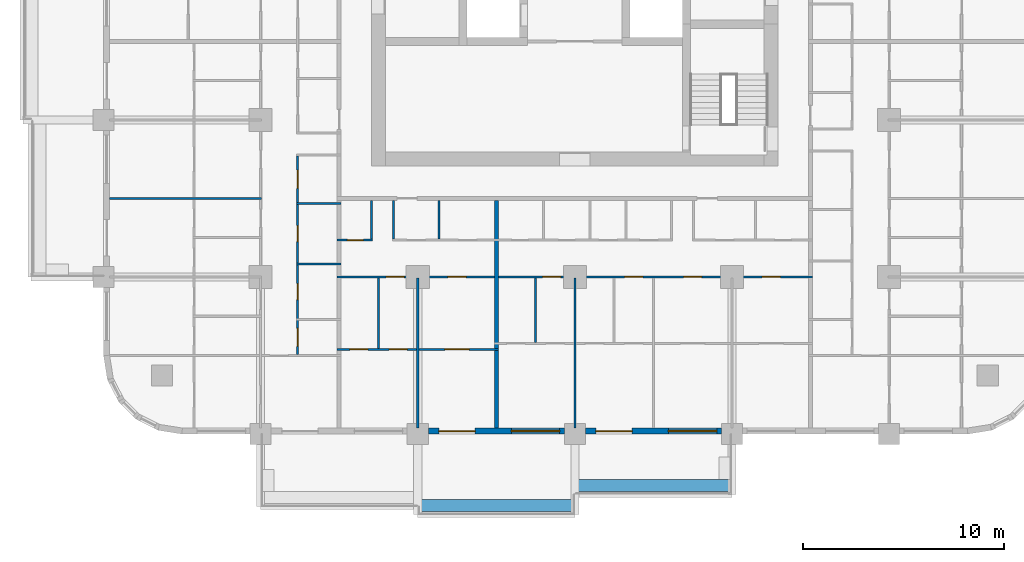
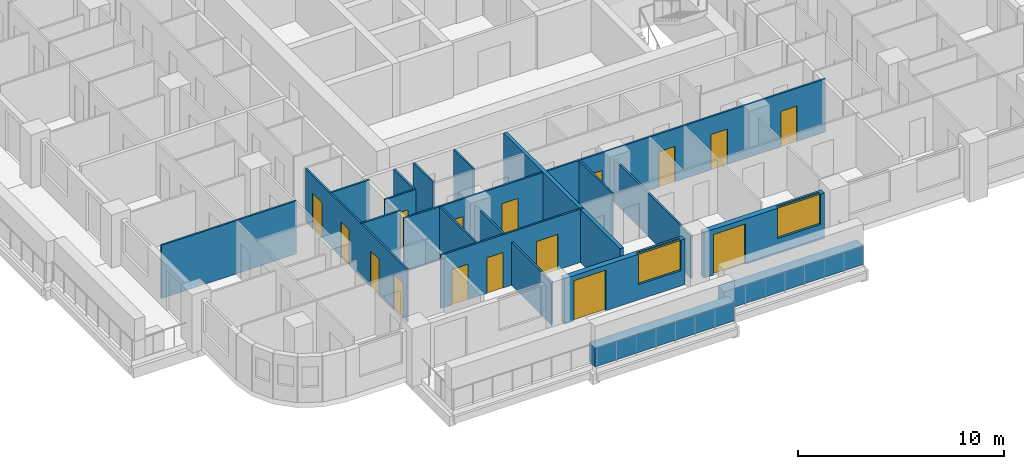
# One storey, part 3 of 17: 19 walls, 16 doors, 2 windows, 18 openings.
"""IFC4 building model written with IfcOpenShell, lengths in metres."""

from ifc_helpers import new_model, si_unit, direction, frame, frame_2d, origin, place, context, subcontext, project, spatial, rectangle, extrude, material, layer, layer_set, type_object, element, fill, save


model = new_model("IFC4")

# Units and contexts
model_context = context("Model", 3, precision=1e-05, world=origin(), true_north=direction((0.0, 1.0)))
body_context = subcontext(model_context, "Body", "Model", "MODEL_VIEW")
ifc_project = project(units=[si_unit("LENGTHUNIT", "METRE"), si_unit("AREAUNIT", "SQUARE_METRE"), si_unit("VOLUMEUNIT", "CUBIC_METRE"), si_unit("PLANEANGLEUNIT", "RADIAN"), si_unit("MASSUNIT", "GRAM", prefix="KILO")], contexts=[model_context])

# Site, building, storey
site_placement = place(None, origin())
site = spatial("IfcSite", under=ifc_project, at=site_placement, CompositionType="ELEMENT")
building_placement = place(site_placement, origin())
building = spatial("IfcBuilding", under=site, at=building_placement, Name="Ludao Terraces", CompositionType="ELEMENT")
storey_placement = place(building_placement, frame((0.0, 0.0, 51.199951171875)))
storey = spatial("IfcBuildingStorey", under=building, at=storey_placement, Name="L13", CompositionType="ELEMENT", Elevation=51.199951171875)

# Walls
ifc_material_1 = material(Name="Concrete C40", Category="concrete")
ifc_layer_1 = layer(ifc_material_1, 0.60009765625)
ifc_layer_set_1 = layer_set([ifc_layer_1], Name="ENV Planter trough 600")
wall_type_1 = type_object("IfcWallType", Name="ENV Planter trough 600", PredefinedType="USERDEFINED", material=ifc_layer_set_1)
for number, where, z_axis, x_axis, name in (
    (1, (77.199951171875, 38.050048828125, 0.0), (0.0, 0.0, 1.0), (1.0, 0.0, 0.0), "PL-L13-S2"),
    (2, (85.0, 39.050048828125, 0.0), (0.0, 0.0, 1.0), (1.0, 0.0, 0.0), "PL-L13-S3"),
):
    element("IfcWall", number, at=place(storey_placement, frame(where, z_axis=z_axis, x_axis=x_axis)), inside=storey, type_object=wall_type_1, Name=name, ObjectType="PLANTER", PredefinedType="USERDEFINED", context=body_context, shape_type="SweptSolid", body=[
        extrude(rectangle(XDim=7.800048828125, YDim=0.60009765625, at=frame_2d((3.89990234375, 0.0))), origin(), (0.0, 0.0, 1.0), 1.10009765625),
    ])

# Wall, openings, door, window
ifc_material_2 = material(Name="Granite cladding", Category="masonry")
ifc_layer_2 = layer(ifc_material_2, 0.0400390625, Category="stone")
ifc_material_3 = material(Name="Mineral wool")
ifc_layer_3 = layer(ifc_material_3, 0.06005859375)
ifc_layer_4 = layer(ifc_material_1, 0.199951171875, Category="concrete")
ifc_layer_set_2 = layer_set([ifc_layer_2, ifc_layer_3, ifc_layer_4], Name="ENV Stone-clad wall 300")
wall_type_2 = type_object("IfcWallType", Name="ENV Stone-clad wall 300", PredefinedType="SOLIDWALL", material=ifc_layer_set_2)
wall_1_placement = place(storey_placement, frame((77.72509765625, 41.75, 0.0), z_axis=(0.0, 0.0, 1.0), x_axis=(1.0, 0.0, 0.0)))
wall_1 = element("IfcWall", 3, at=wall_1_placement, inside=storey, type_object=wall_type_2, Name="EW-L13-S3", PredefinedType="SOLIDWALL", context=body_context, shape_type="SweptSolid", body=[
    extrude(rectangle(XDim=6.75, YDim=0.300048828125, at=frame_2d((3.375, 0.0))), origin(), (0.0, 0.0, 1.0), 2.699951171875),
])
opening_1_placement = place(wall_1_placement, frame((0.52490234375, 0.0, 0.0)))
opening_1 = element("IfcOpeningElement", 4, at=opening_1_placement, cuts=wall_1, Name="Opening BD", PredefinedType="OPENING", context=body_context, shape_type="SweptSolid", body=[
    extrude(rectangle(XDim=1.800048828125, YDim=2.39990234375, at=frame_2d((0.89990234375, 1.199951171875))), frame((0.0, 0.16015625, 0.0), z_axis=(0.0, -1.0, 0.0), x_axis=(1.0, 0.0, 0.0)), (0.0, 0.0, 1.0), 0.320068359375),
])
opening_2_placement = place(wall_1_placement, frame((4.125, 0.0, 0.89990234375)))
opening_2 = element("IfcOpeningElement", 5, at=opening_2_placement, cuts=wall_1, Name="Opening W1", PredefinedType="OPENING", context=body_context, shape_type="SweptSolid", body=[
    extrude(rectangle(XDim=2.39990234375, YDim=1.800048828125, at=frame_2d((1.199951171875, 0.89990234375))), frame((0.0, 0.16015625, 0.0), z_axis=(0.0, -1.0, 0.0), x_axis=(1.0, 0.0, 0.0)), (0.0, 0.0, 1.0), 0.320068359375),
])
ifc_material_4 = material(Name="Aluminium glazed door", Category="aluminium")
ifc_layer_5 = layer(ifc_material_4, 0.06005859375)
ifc_layer_set_3 = layer_set([ifc_layer_5], Name="ENV Balcony door BD 1800x2400")
door_type_1 = type_object("IfcDoorType", Name="ENV Balcony door BD 1800x2400", OperationType="DOUBLE_DOOR_SINGLE_SWING", PredefinedType="DOOR", material=ifc_layer_set_3)
door_1_placement = place(opening_1_placement, origin())
door_1 = element("IfcDoor", 6, at=door_1_placement, inside=storey, type_object=door_type_1, Name="BD-L13-S3-1", OperationType="DOUBLE_DOOR_SINGLE_SWING", OverallHeight=2.39990234375, OverallWidth=1.800048828125, PredefinedType="DOOR", context=body_context, shape_type="SweptSolid", body=[
    extrude(rectangle(XDim=1.800048828125, YDim=2.39990234375, at=frame_2d((0.89990234375, 1.199951171875))), frame((0.0, 0.02490234375, 0.0), z_axis=(0.0, -1.0, 0.0), x_axis=(1.0, 0.0, 0.0)), (0.0, 0.0, 1.0), 0.050048828125),
])
fill(opening_1, door_1)
ifc_material_5 = material(Name="Clear glass in aluminium frame", Category="aluminium")
ifc_layer_6 = layer(ifc_material_5, 0.06005859375)
ifc_layer_set_4 = layer_set([ifc_layer_6], Name="ENV Window W1 2400x1800")
window_type = type_object("IfcWindowType", Name="ENV Window W1 2400x1800", PartitioningType="DOUBLE_PANEL_VERTICAL", PredefinedType="WINDOW", material=ifc_layer_set_4)
window_1_placement = place(opening_2_placement, origin())
window_1 = element("IfcWindow", 7, at=window_1_placement, inside=storey, type_object=window_type, Name="W-L13-S3-2", OverallHeight=1.800048828125, OverallWidth=2.39990234375, PartitioningType="DOUBLE_PANEL_VERTICAL", PredefinedType="WINDOW", context=body_context, shape_type="SweptSolid", body=[
    extrude(rectangle(XDim=2.39990234375, YDim=1.800048828125, at=frame_2d((1.199951171875, 0.89990234375))), frame((0.0, 0.030029296875, 0.0), z_axis=(0.0, -1.0, 0.0), x_axis=(1.0, 0.0, 0.0)), (0.0, 0.0, 1.0), 0.06005859375),
])
fill(opening_2, window_1)

wall_2_placement = place(storey_placement, frame((85.52490234375, 41.75, 0.0), z_axis=(0.0, 0.0, 1.0), x_axis=(1.0, 0.0, 0.0)))
wall_2 = element("IfcWall", 8, at=wall_2_placement, inside=storey, type_object=wall_type_2, Name="EW-L13-S4", PredefinedType="SOLIDWALL", context=body_context, shape_type="SweptSolid", body=[
    extrude(rectangle(XDim=6.75, YDim=0.300048828125, at=frame_2d((3.375, 0.0))), origin(), (0.0, 0.0, 1.0), 2.699951171875),
])
opening_3_placement = place(wall_2_placement, frame((0.52490234375, 0.0, 0.0)))
opening_3 = element("IfcOpeningElement", 9, at=opening_3_placement, cuts=wall_2, Name="Opening BD", PredefinedType="OPENING", context=body_context, shape_type="SweptSolid", body=[
    extrude(rectangle(XDim=1.800048828125, YDim=2.39990234375, at=frame_2d((0.89990234375, 1.199951171875))), frame((0.0, 0.16015625, 0.0), z_axis=(0.0, -1.0, 0.0), x_axis=(1.0, 0.0, 0.0)), (0.0, 0.0, 1.0), 0.320068359375),
])
opening_4_placement = place(wall_2_placement, frame((4.125, 0.0, 0.89990234375)))
opening_4 = element("IfcOpeningElement", 10, at=opening_4_placement, cuts=wall_2, Name="Opening W1", PredefinedType="OPENING", context=body_context, shape_type="SweptSolid", body=[
    extrude(rectangle(XDim=2.39990234375, YDim=1.800048828125, at=frame_2d((1.199951171875, 0.89990234375))), frame((0.0, 0.16015625, 0.0), z_axis=(0.0, -1.0, 0.0), x_axis=(1.0, 0.0, 0.0)), (0.0, 0.0, 1.0), 0.320068359375),
])
door_2_placement = place(opening_3_placement, origin())
door_2 = element("IfcDoor", 11, at=door_2_placement, inside=storey, type_object=door_type_1, Name="BD-L13-S4-1", OperationType="DOUBLE_DOOR_SINGLE_SWING", OverallHeight=2.39990234375, OverallWidth=1.800048828125, PredefinedType="DOOR", context=body_context, shape_type="SweptSolid", body=[
    extrude(rectangle(XDim=1.800048828125, YDim=2.39990234375, at=frame_2d((0.89990234375, 1.199951171875))), frame((0.0, 0.02490234375, 0.0), z_axis=(0.0, -1.0, 0.0), x_axis=(1.0, 0.0, 0.0)), (0.0, 0.0, 1.0), 0.050048828125),
])
fill(opening_3, door_2)
window_2_placement = place(opening_4_placement, origin())
window_2 = element("IfcWindow", 12, at=window_2_placement, inside=storey, type_object=window_type, Name="W-L13-S4-2", OverallHeight=1.800048828125, OverallWidth=2.39990234375, PartitioningType="DOUBLE_PANEL_VERTICAL", PredefinedType="WINDOW", context=body_context, shape_type="SweptSolid", body=[
    extrude(rectangle(XDim=2.39990234375, YDim=1.800048828125, at=frame_2d((1.199951171875, 0.89990234375))), frame((0.0, 0.030029296875, 0.0), z_axis=(0.0, -1.0, 0.0), x_axis=(1.0, 0.0, 0.0)), (0.0, 0.0, 1.0), 0.06005859375),
])
fill(opening_4, window_2)

# Wall, openings, doors
ifc_material_6 = material(Name="Gypsum plasterboard", Category="gypsum")
ifc_layer_7 = layer(ifc_material_6, 0.012451171875, Category="gypsum")
ifc_layer_8 = layer(ifc_material_3, 0.06005859375, Name="insulation")
ifc_material_7 = material(Name="Steel Q235", Category="steel")
ifc_layer_9 = layer(ifc_material_7, 0.014892578125, Name="stud")
ifc_layer_10 = layer(ifc_material_6, 0.012451171875, Category="gypsum")
ifc_layer_set_5 = layer_set([ifc_layer_7, ifc_layer_8, ifc_layer_9, ifc_layer_10], Name="INT Partition 100")
wall_type_3 = type_object("IfcWallType", Name="INT Partition 100", PredefinedType="PARTITIONING", material=ifc_layer_set_5)
wall_3_placement = place(storey_placement, frame((73.2001953125, 45.800048828125, 0.0), z_axis=(0.0, 0.0, 1.0), x_axis=(1.0, 0.0, 0.0)))
wall_3 = element("IfcWall", 13, at=wall_3_placement, inside=storey, type_object=wall_type_3, Name="PW-L13-PW002", PredefinedType="PARTITIONING", context=body_context, shape_type="SweptSolid", body=[
    extrude(rectangle(XDim=8.0, YDim=0.10009765625, at=frame_2d((4.0, 0.0))), origin(), (0.0, 0.0, 1.0), 3.150146484375),
])
opening_5_placement = place(wall_3_placement, frame((0.625, 0.0, 0.0)))
opening_5 = element("IfcOpeningElement", 14, at=opening_5_placement, cuts=wall_3, Name="Opening R04-007", PredefinedType="OPENING", context=body_context, shape_type="SweptSolid", body=[
    extrude(rectangle(XDim=0.89990234375, YDim=2.10009765625, at=frame_2d((0.449951171875, 1.050048828125))), frame((0.0, 0.06005859375, 0.0), z_axis=(0.0, -1.0, 0.0), x_axis=(1.0, 0.0, 0.0)), (0.0, 0.0, 1.0), 0.1201171875),
])
opening_6_placement = place(wall_3_placement, frame((2.574951171875, 0.0, 0.0)))
opening_6 = element("IfcOpeningElement", 15, at=opening_6_placement, cuts=wall_3, Name="Opening R04-008", PredefinedType="OPENING", context=body_context, shape_type="SweptSolid", body=[
    extrude(rectangle(XDim=0.89990234375, YDim=2.10009765625, at=frame_2d((0.449951171875, 1.050048828125))), frame((0.0, 0.06005859375, 0.0), z_axis=(0.0, -1.0, 0.0), x_axis=(1.0, 0.0, 0.0)), (0.0, 0.0, 1.0), 0.1201171875),
])
opening_7_placement = place(wall_3_placement, frame((5.349853515625, 0.0, 0.0)))
opening_7 = element("IfcOpeningElement", 16, at=opening_7_placement, cuts=wall_3, Name="Opening R04-009", PredefinedType="OPENING", context=body_context, shape_type="SweptSolid", body=[
    extrude(rectangle(XDim=1.199951171875, YDim=2.10009765625, at=frame_2d((0.60009765625, 1.050048828125))), frame((0.0, 0.06005859375, 0.0), z_axis=(0.0, -1.0, 0.0), x_axis=(1.0, 0.0, 0.0)), (0.0, 0.0, 1.0), 0.1201171875),
])
ifc_material_8 = material(Name="Timber door leaf", Category="wood")
door_type_2 = type_object("IfcDoorType", Name="INT Bathroom door 900", OperationType="SINGLE_SWING_LEFT", PredefinedType="DOOR", material=ifc_material_8)
door_3_placement = place(opening_5_placement, origin())
door_3 = element("IfcDoor", 17, at=door_3_placement, inside=storey, type_object=door_type_2, Name="DOOR 007", OperationType="SINGLE_SWING_LEFT", OverallHeight=2.10009765625, OverallWidth=0.89990234375, PredefinedType="DOOR", context=body_context, shape_type="SweptSolid", body=[
    extrude(rectangle(XDim=0.89990234375, YDim=2.10009765625, at=frame_2d((0.449951171875, 1.050048828125))), frame((0.0, 0.02490234375, 0.0), z_axis=(0.0, -1.0, 0.0), x_axis=(1.0, 0.0, 0.0)), (0.0, 0.0, 1.0), 0.050048828125),
])
fill(opening_5, door_3)
door_type_3 = type_object("IfcDoorType", Name="INT Double door 1200", OperationType="DOUBLE_DOOR_SINGLE_SWING", PredefinedType="DOOR", material=ifc_material_8)
door_4_placement = place(opening_7_placement, origin())
door_4 = element("IfcDoor", 18, at=door_4_placement, inside=storey, type_object=door_type_3, Name="DOOR 009", OperationType="DOUBLE_DOOR_SINGLE_SWING", OverallHeight=2.10009765625, OverallWidth=1.199951171875, PredefinedType="DOOR", context=body_context, shape_type="SweptSolid", body=[
    extrude(rectangle(XDim=1.199951171875, YDim=2.10009765625, at=frame_2d((0.60009765625, 1.050048828125))), frame((0.0, 0.02490234375, 0.0), z_axis=(0.0, -1.0, 0.0), x_axis=(1.0, 0.0, 0.0)), (0.0, 0.0, 1.0), 0.050048828125),
])
fill(opening_7, door_4)
door_type_4 = type_object("IfcDoorType", Name="INT Room door 900", OperationType="SINGLE_SWING_LEFT", PredefinedType="DOOR", material=ifc_material_8)
door_5_placement = place(opening_6_placement, origin())
door_5 = element("IfcDoor", 19, at=door_5_placement, inside=storey, type_object=door_type_4, Name="DOOR 008", OperationType="SINGLE_SWING_RIGHT", OverallHeight=2.10009765625, OverallWidth=0.89990234375, PredefinedType="DOOR", context=body_context, shape_type="SweptSolid", body=[
    extrude(rectangle(XDim=0.89990234375, YDim=2.10009765625, at=frame_2d((0.449951171875, 1.050048828125))), frame((0.0, 0.02490234375, 0.0), z_axis=(0.0, -1.0, 0.0), x_axis=(1.0, 0.0, 0.0)), (0.0, 0.0, 1.0), 0.050048828125),
])
fill(opening_6, door_5)

wall_4_placement = place(storey_placement, frame((73.2001953125, 49.39990234375, 0.0), z_axis=(0.0, 0.0, 1.0), x_axis=(1.0, 0.0, 0.0)))
wall_4 = element("IfcWall", 20, at=wall_4_placement, inside=storey, type_object=wall_type_3, Name="PW-L13-PW009", PredefinedType="PARTITIONING", context=body_context, shape_type="SweptSolid", body=[
    extrude(rectangle(XDim=23.599853515625, YDim=0.10009765625, at=frame_2d((11.7998046875, 0.0))), origin(), (0.0, 0.0, 1.0), 3.150146484375),
])
opening_8_placement = place(wall_4_placement, frame((2.4248046875, 0.0, 0.0)))
opening_8 = element("IfcOpeningElement", 21, at=opening_8_placement, cuts=wall_4, Name="Opening R04-026", PredefinedType="OPENING", context=body_context, shape_type="SweptSolid", body=[
    extrude(rectangle(XDim=0.89990234375, YDim=2.10009765625, at=frame_2d((0.449951171875, 1.050048828125))), frame((0.0, 0.06005859375, 0.0), z_axis=(0.0, -1.0, 0.0), x_axis=(1.0, 0.0, 0.0)), (0.0, 0.0, 1.0), 0.1201171875),
])
opening_9_placement = place(wall_4_placement, frame((5.5, 0.0, 0.0)))
opening_9 = element("IfcOpeningElement", 22, at=opening_9_placement, cuts=wall_4, Name="Opening R04-027", PredefinedType="OPENING", context=body_context, shape_type="SweptSolid", body=[
    extrude(rectangle(XDim=0.89990234375, YDim=2.10009765625, at=frame_2d((0.449951171875, 1.050048828125))), frame((0.0, 0.06005859375, 0.0), z_axis=(0.0, -1.0, 0.0), x_axis=(1.0, 0.0, 0.0)), (0.0, 0.0, 1.0), 0.1201171875),
])
opening_10_placement = place(wall_4_placement, frame((10.199951171875, 0.0, 0.0)))
opening_10 = element("IfcOpeningElement", 23, at=opening_10_placement, cuts=wall_4, Name="Opening R04-028", PredefinedType="OPENING", context=body_context, shape_type="SweptSolid", body=[
    extrude(rectangle(XDim=0.89990234375, YDim=2.10009765625, at=frame_2d((0.449951171875, 1.050048828125))), frame((0.0, 0.06005859375, 0.0), z_axis=(0.0, -1.0, 0.0), x_axis=(1.0, 0.0, 0.0)), (0.0, 0.0, 1.0), 0.1201171875),
])
opening_11_placement = place(wall_4_placement, frame((14.27490234375, 0.0, 0.0)))
opening_11 = element("IfcOpeningElement", 24, at=opening_11_placement, cuts=wall_4, Name="Opening R04-029", PredefinedType="OPENING", context=body_context, shape_type="SweptSolid", body=[
    extrude(rectangle(XDim=0.89990234375, YDim=2.10009765625, at=frame_2d((0.449951171875, 1.050048828125))), frame((0.0, 0.06005859375, 0.0), z_axis=(0.0, -1.0, 0.0), x_axis=(1.0, 0.0, 0.0)), (0.0, 0.0, 1.0), 0.1201171875),
])
opening_12_placement = place(wall_4_placement, frame((17.199951171875, 0.0, 0.0)))
opening_12 = element("IfcOpeningElement", 25, at=opening_12_placement, cuts=wall_4, Name="Opening R04-030", PredefinedType="OPENING", context=body_context, shape_type="SweptSolid", body=[
    extrude(rectangle(XDim=0.89990234375, YDim=2.10009765625, at=frame_2d((0.449951171875, 1.050048828125))), frame((0.0, 0.06005859375, 0.0), z_axis=(0.0, -1.0, 0.0), x_axis=(1.0, 0.0, 0.0)), (0.0, 0.0, 1.0), 0.1201171875),
])
opening_13_placement = place(wall_4_placement, frame((21.099853515625, 0.0, 0.0)))
opening_13 = element("IfcOpeningElement", 26, at=opening_13_placement, cuts=wall_4, Name="Opening R04-031", PredefinedType="OPENING", context=body_context, shape_type="SweptSolid", body=[
    extrude(rectangle(XDim=0.89990234375, YDim=2.10009765625, at=frame_2d((0.449951171875, 1.050048828125))), frame((0.0, 0.06005859375, 0.0), z_axis=(0.0, -1.0, 0.0), x_axis=(1.0, 0.0, 0.0)), (0.0, 0.0, 1.0), 0.1201171875),
])
door_6_placement = place(opening_8_placement, origin())
door_6 = element("IfcDoor", 27, at=door_6_placement, inside=storey, type_object=door_type_4, Name="DOOR 026", OperationType="SINGLE_SWING_RIGHT", OverallHeight=2.10009765625, OverallWidth=0.89990234375, PredefinedType="DOOR", context=body_context, shape_type="SweptSolid", body=[
    extrude(rectangle(XDim=0.89990234375, YDim=2.10009765625, at=frame_2d((0.449951171875, 1.050048828125))), frame((0.0, 0.02490234375, 0.0), z_axis=(0.0, -1.0, 0.0), x_axis=(1.0, 0.0, 0.0)), (0.0, 0.0, 1.0), 0.050048828125),
])
fill(opening_8, door_6)
door_7_placement = place(opening_9_placement, origin())
door_7 = element("IfcDoor", 28, at=door_7_placement, inside=storey, type_object=door_type_4, Name="DOOR 027", OperationType="SINGLE_SWING_RIGHT", OverallHeight=2.10009765625, OverallWidth=0.89990234375, PredefinedType="DOOR", context=body_context, shape_type="SweptSolid", body=[
    extrude(rectangle(XDim=0.89990234375, YDim=2.10009765625, at=frame_2d((0.449951171875, 1.050048828125))), frame((0.0, 0.02490234375, 0.0), z_axis=(0.0, -1.0, 0.0), x_axis=(1.0, 0.0, 0.0)), (0.0, 0.0, 1.0), 0.050048828125),
])
fill(opening_9, door_7)
door_8_placement = place(opening_10_placement, origin())
door_8 = element("IfcDoor", 29, at=door_8_placement, inside=storey, type_object=door_type_4, Name="DOOR 028", OperationType="SINGLE_SWING_RIGHT", OverallHeight=2.10009765625, OverallWidth=0.89990234375, PredefinedType="DOOR", context=body_context, shape_type="SweptSolid", body=[
    extrude(rectangle(XDim=0.89990234375, YDim=2.10009765625, at=frame_2d((0.449951171875, 1.050048828125))), frame((0.0, 0.02490234375, 0.0), z_axis=(0.0, -1.0, 0.0), x_axis=(1.0, 0.0, 0.0)), (0.0, 0.0, 1.0), 0.050048828125),
])
fill(opening_10, door_8)
door_9_placement = place(opening_11_placement, origin())
door_9 = element("IfcDoor", 30, at=door_9_placement, inside=storey, type_object=door_type_4, Name="DOOR 029", OperationType="SINGLE_SWING_RIGHT", OverallHeight=2.10009765625, OverallWidth=0.89990234375, PredefinedType="DOOR", context=body_context, shape_type="SweptSolid", body=[
    extrude(rectangle(XDim=0.89990234375, YDim=2.10009765625, at=frame_2d((0.449951171875, 1.050048828125))), frame((0.0, 0.02490234375, 0.0), z_axis=(0.0, -1.0, 0.0), x_axis=(1.0, 0.0, 0.0)), (0.0, 0.0, 1.0), 0.050048828125),
])
fill(opening_11, door_9)
door_10_placement = place(opening_12_placement, origin())
door_10 = element("IfcDoor", 31, at=door_10_placement, inside=storey, type_object=door_type_4, Name="DOOR 030", OperationType="SINGLE_SWING_RIGHT", OverallHeight=2.10009765625, OverallWidth=0.89990234375, PredefinedType="DOOR", context=body_context, shape_type="SweptSolid", body=[
    extrude(rectangle(XDim=0.89990234375, YDim=2.10009765625, at=frame_2d((0.449951171875, 1.050048828125))), frame((0.0, 0.02490234375, 0.0), z_axis=(0.0, -1.0, 0.0), x_axis=(1.0, 0.0, 0.0)), (0.0, 0.0, 1.0), 0.050048828125),
])
fill(opening_12, door_10)
door_11_placement = place(opening_13_placement, origin())
door_11 = element("IfcDoor", 32, at=door_11_placement, inside=storey, type_object=door_type_4, Name="DOOR 031", OperationType="SINGLE_SWING_RIGHT", OverallHeight=2.10009765625, OverallWidth=0.89990234375, PredefinedType="DOOR", context=body_context, shape_type="SweptSolid", body=[
    extrude(rectangle(XDim=0.89990234375, YDim=2.10009765625, at=frame_2d((0.449951171875, 1.050048828125))), frame((0.0, 0.02490234375, 0.0), z_axis=(0.0, -1.0, 0.0), x_axis=(1.0, 0.0, 0.0)), (0.0, 0.0, 1.0), 0.050048828125),
])
fill(opening_13, door_11)

# Wall
wall_5_placement = place(storey_placement, frame((71.18017578125, 50.050048828125, 0.0), z_axis=(0.0, 0.0, 1.0), x_axis=(1.0, 0.0, 0.0)))
element("IfcWall", 33, at=wall_5_placement, inside=storey, type_object=wall_type_3, Name="PW-L13-PW011", PredefinedType="PARTITIONING", context=body_context, shape_type="SweptSolid", body=[
    extrude(rectangle(XDim=2.219970703125, YDim=0.10009765625, at=frame_2d((1.10986328125, 0.0))), origin(), (0.0, 0.0, 1.0), 3.150146484375),
])

# Wall, opening, door
wall_6_placement = place(storey_placement, frame((73.2001953125, 51.22998046875, 0.0), z_axis=(0.0, 0.0, 1.0), x_axis=(1.0, 0.0, 0.0)))
wall_6 = element("IfcWall", 34, at=wall_6_placement, inside=storey, type_object=wall_type_3, Name="PW-L13-PW013", PredefinedType="PARTITIONING", context=body_context, shape_type="SweptSolid", body=[
    extrude(rectangle(XDim=1.75, YDim=0.10009765625, at=frame_2d((0.875, 0.0))), origin(), (0.0, 0.0, 1.0), 3.150146484375),
])
opening_14_placement = place(wall_6_placement, frame((0.5, 0.0, 0.0)))
opening_14 = element("IfcOpeningElement", 35, at=opening_14_placement, cuts=wall_6, Name="Opening R04-034", PredefinedType="OPENING", context=body_context, shape_type="SweptSolid", body=[
    extrude(rectangle(XDim=0.800048828125, YDim=2.10009765625, at=frame_2d((0.39990234375, 1.050048828125))), frame((0.0, 0.06005859375, 0.0), z_axis=(0.0, -1.0, 0.0), x_axis=(1.0, 0.0, 0.0)), (0.0, 0.0, 1.0), 0.1201171875),
])
door_type_5 = type_object("IfcDoorType", Name="INT Store door 800", OperationType="SINGLE_SWING_LEFT", PredefinedType="DOOR", material=ifc_material_8)
door_12_placement = place(opening_14_placement, origin())
door_12 = element("IfcDoor", 36, at=door_12_placement, inside=storey, type_object=door_type_5, Name="DOOR 034", OperationType="SINGLE_SWING_LEFT", OverallHeight=2.10009765625, OverallWidth=0.800048828125, PredefinedType="DOOR", context=body_context, shape_type="SweptSolid", body=[
    extrude(rectangle(XDim=0.800048828125, YDim=2.10009765625, at=frame_2d((0.39990234375, 1.050048828125))), frame((0.0, 0.02490234375, 0.0), z_axis=(0.0, -1.0, 0.0), x_axis=(1.0, 0.0, 0.0)), (0.0, 0.0, 1.0), 0.050048828125),
])
fill(opening_14, door_12)

# Walls
wall_7_placement = place(storey_placement, frame((71.18017578125, 53.050048828125, 0.0), z_axis=(0.0, 0.0, 1.0), x_axis=(1.0, 0.0, 0.0)))
element("IfcWall", 37, at=wall_7_placement, inside=storey, type_object=wall_type_3, Name="PW-L13-PW019", PredefinedType="PARTITIONING", context=body_context, shape_type="SweptSolid", body=[
    extrude(rectangle(XDim=2.219970703125, YDim=0.10009765625, at=frame_2d((1.10986328125, 0.0))), origin(), (0.0, 0.0, 1.0), 3.150146484375),
])
wall_8_placement = place(storey_placement, frame((61.900146484375, 53.300048828125, 0.0), z_axis=(0.0, 0.0, 1.0), x_axis=(1.0, 0.0, 0.0)))
element("IfcWall", 38, at=wall_8_placement, inside=storey, type_object=wall_type_3, Name="PW-L13-PW020", PredefinedType="PARTITIONING", context=body_context, shape_type="SweptSolid", body=[
    extrude(rectangle(XDim=7.550048828125, YDim=0.10009765625, at=frame_2d((3.77490234375, 0.0))), origin(), (0.0, 0.0, 1.0), 3.150146484375),
])

# Wall, openings, doors
wall_9_placement = place(storey_placement, frame((71.22998046875, 45.550048828125, 0.0), z_axis=(0.0, 0.0, 1.0), x_axis=(0.0, 1.0, 0.0)))
wall_9 = element("IfcWall", 39, at=wall_9_placement, inside=storey, type_object=wall_type_3, Name="PW-L13-PW084", PredefinedType="PARTITIONING", context=body_context, shape_type="SweptSolid", body=[
    extrude(rectangle(XDim=9.85009765625, YDim=0.10009765625, at=frame_2d((4.925048828125, 0.0))), origin(), (0.0, 0.0, 1.0), 3.150146484375),
])
opening_15_placement = place(wall_9_placement, frame((0.39990234375, 0.0, 0.0)))
opening_15 = element("IfcOpeningElement", 40, at=opening_15_placement, cuts=wall_9, Name="Opening R04-016", PredefinedType="OPENING", context=body_context, shape_type="SweptSolid", body=[
    extrude(rectangle(XDim=0.89990234375, YDim=2.10009765625, at=frame_2d((0.449951171875, 1.050048828125))), frame((0.0, 0.06005859375, 0.0), z_axis=(0.0, -1.0, 0.0), x_axis=(1.0, 0.0, 0.0)), (0.0, 0.0, 1.0), 0.1201171875),
])
opening_16_placement = place(wall_9_placement, frame((2.72509765625, 0.0, 0.0)))
opening_16 = element("IfcOpeningElement", 41, at=opening_16_placement, cuts=wall_9, Name="Opening R04-024", PredefinedType="OPENING", context=body_context, shape_type="SweptSolid", body=[
    extrude(rectangle(XDim=0.800048828125, YDim=2.10009765625, at=frame_2d((0.39990234375, 1.050048828125))), frame((0.0, 0.06005859375, 0.0), z_axis=(0.0, -1.0, 0.0), x_axis=(1.0, 0.0, 0.0)), (0.0, 0.0, 1.0), 0.1201171875),
])
opening_17_placement = place(wall_9_placement, frame((5.60009765625, 0.0, 0.0)))
opening_17 = element("IfcOpeningElement", 42, at=opening_17_placement, cuts=wall_9, Name="Opening R04-044", PredefinedType="OPENING", context=body_context, shape_type="SweptSolid", body=[
    extrude(rectangle(XDim=0.800048828125, YDim=2.10009765625, at=frame_2d((0.39990234375, 1.050048828125))), frame((0.0, 0.06005859375, 0.0), z_axis=(0.0, -1.0, 0.0), x_axis=(1.0, 0.0, 0.0)), (0.0, 0.0, 1.0), 0.1201171875),
])
opening_18_placement = place(wall_9_placement, frame((8.25, 0.0, 0.0)))
opening_18 = element("IfcOpeningElement", 43, at=opening_18_placement, cuts=wall_9, Name="Opening R04-052", PredefinedType="OPENING", context=body_context, shape_type="SweptSolid", body=[
    extrude(rectangle(XDim=0.89990234375, YDim=2.10009765625, at=frame_2d((0.449951171875, 1.050048828125))), frame((0.0, 0.06005859375, 0.0), z_axis=(0.0, -1.0, 0.0), x_axis=(1.0, 0.0, 0.0)), (0.0, 0.0, 1.0), 0.1201171875),
])
door_13_placement = place(opening_15_placement, origin())
door_13 = element("IfcDoor", 44, at=door_13_placement, inside=storey, type_object=door_type_2, Name="DOOR 016", OperationType="SINGLE_SWING_RIGHT", OverallHeight=2.10009765625, OverallWidth=0.89990234375, PredefinedType="DOOR", context=body_context, shape_type="SweptSolid", body=[
    extrude(rectangle(XDim=0.89990234375, YDim=2.10009765625, at=frame_2d((0.449951171875, 1.050048828125))), frame((0.0, 0.02490234375, 0.0), z_axis=(0.0, -1.0, 0.0), x_axis=(1.0, 0.0, 0.0)), (0.0, 0.0, 1.0), 0.050048828125),
])
fill(opening_15, door_13)
door_14_placement = place(opening_18_placement, origin())
door_14 = element("IfcDoor", 45, at=door_14_placement, inside=storey, type_object=door_type_2, Name="DOOR 052", OperationType="SINGLE_SWING_RIGHT", OverallHeight=2.10009765625, OverallWidth=0.89990234375, PredefinedType="DOOR", context=body_context, shape_type="SweptSolid", body=[
    extrude(rectangle(XDim=0.89990234375, YDim=2.10009765625, at=frame_2d((0.449951171875, 1.050048828125))), frame((0.0, 0.02490234375, 0.0), z_axis=(0.0, -1.0, 0.0), x_axis=(1.0, 0.0, 0.0)), (0.0, 0.0, 1.0), 0.050048828125),
])
fill(opening_18, door_14)
door_15_placement = place(opening_16_placement, origin())
door_15 = element("IfcDoor", 46, at=door_15_placement, inside=storey, type_object=door_type_5, Name="DOOR 024", OperationType="SINGLE_SWING_RIGHT", OverallHeight=2.10009765625, OverallWidth=0.800048828125, PredefinedType="DOOR", context=body_context, shape_type="SweptSolid", body=[
    extrude(rectangle(XDim=0.800048828125, YDim=2.10009765625, at=frame_2d((0.39990234375, 1.050048828125))), frame((0.0, 0.02490234375, 0.0), z_axis=(0.0, -1.0, 0.0), x_axis=(1.0, 0.0, 0.0)), (0.0, 0.0, 1.0), 0.050048828125),
])
fill(opening_16, door_15)
door_16_placement = place(opening_17_placement, origin())
door_16 = element("IfcDoor", 47, at=door_16_placement, inside=storey, type_object=door_type_5, Name="DOOR 044", OperationType="SINGLE_SWING_LEFT", OverallHeight=2.10009765625, OverallWidth=0.800048828125, PredefinedType="DOOR", context=body_context, shape_type="SweptSolid", body=[
    extrude(rectangle(XDim=0.800048828125, YDim=2.10009765625, at=frame_2d((0.39990234375, 1.050048828125))), frame((0.0, 0.02490234375, 0.0), z_axis=(0.0, -1.0, 0.0), x_axis=(1.0, 0.0, 0.0)), (0.0, 0.0, 1.0), 0.050048828125),
])
fill(opening_17, door_16)

# Walls
wall_10_placement = place(storey_placement, frame((74.89990234375, 51.280029296875, 0.0), z_axis=(0.0, 0.0, 1.0), x_axis=(0.0, 1.0, 0.0)))
element("IfcWall", 48, at=wall_10_placement, inside=storey, type_object=wall_type_3, Name="PW-L13-PW091", PredefinedType="PARTITIONING", context=body_context, shape_type="SweptSolid", body=[
    extrude(rectangle(XDim=1.920166015625, YDim=0.10009765625, at=frame_2d((0.9599609375, 0.0))), origin(), (0.0, 0.0, 1.0), 3.150146484375),
])
wall_11_placement = place(storey_placement, frame((75.25, 45.85009765625, 0.0), z_axis=(0.0, 0.0, 1.0), x_axis=(0.0, 1.0, 0.0)))
element("IfcWall", 49, at=wall_11_placement, inside=storey, type_object=wall_type_3, Name="PW-L13-PW092", PredefinedType="PARTITIONING", context=body_context, shape_type="SweptSolid", body=[
    extrude(rectangle(XDim=3.5, YDim=0.10009765625, at=frame_2d((1.75, 0.0))), origin(), (0.0, 0.0, 1.0), 3.150146484375),
])
wall_12_placement = place(storey_placement, frame((76.0, 51.280029296875, 0.0), z_axis=(0.0, 0.0, 1.0), x_axis=(0.0, 1.0, 0.0)))
element("IfcWall", 50, at=wall_12_placement, inside=storey, type_object=wall_type_3, Name="PW-L13-PW093", PredefinedType="PARTITIONING", context=body_context, shape_type="SweptSolid", body=[
    extrude(rectangle(XDim=1.920166015625, YDim=0.10009765625, at=frame_2d((0.9599609375, 0.0))), origin(), (0.0, 0.0, 1.0), 3.150146484375),
])
wall_13_placement = place(storey_placement, frame((77.199951171875, 41.900146484375, 0.0), z_axis=(0.0, 0.0, 1.0), x_axis=(0.0, 1.0, 0.0)))
element("IfcWall", 51, at=wall_13_placement, inside=storey, type_object=wall_type_3, Name="PW-L13-PW094", PredefinedType="PARTITIONING", context=body_context, shape_type="SweptSolid", body=[
    extrude(rectangle(XDim=7.449951171875, YDim=0.10009765625, at=frame_2d((3.72509765625, 0.0))), origin(), (0.0, 0.0, 1.0), 2.550048828125),
])
wall_14_placement = place(storey_placement, frame((78.25, 51.280029296875, 0.0), z_axis=(0.0, 0.0, 1.0), x_axis=(0.0, 1.0, 0.0)))
element("IfcWall", 52, at=wall_14_placement, inside=storey, type_object=wall_type_3, Name="PW-L13-PW096", PredefinedType="PARTITIONING", context=body_context, shape_type="SweptSolid", body=[
    extrude(rectangle(XDim=1.920166015625, YDim=0.10009765625, at=frame_2d((0.9599609375, 0.0))), origin(), (0.0, 0.0, 1.0), 3.150146484375),
])
wall_15_placement = place(storey_placement, frame((83.050048828125, 46.150146484375, 0.0), z_axis=(0.0, 0.0, 1.0), x_axis=(0.0, 1.0, 0.0)))
element("IfcWall", 53, at=wall_15_placement, inside=storey, type_object=wall_type_3, Name="PW-L13-PW099", PredefinedType="PARTITIONING", context=body_context, shape_type="SweptSolid", body=[
    extrude(rectangle(XDim=3.199951171875, YDim=0.10009765625, at=frame_2d((1.60009765625, 0.0))), origin(), (0.0, 0.0, 1.0), 3.150146484375),
])
wall_16_placement = place(storey_placement, frame((85.0, 41.900146484375, 0.0), z_axis=(0.0, 0.0, 1.0), x_axis=(0.0, 1.0, 0.0)))
element("IfcWall", 54, at=wall_16_placement, inside=storey, type_object=wall_type_3, Name="PW-L13-PW101", PredefinedType="PARTITIONING", context=body_context, shape_type="SweptSolid", body=[
    extrude(rectangle(XDim=7.449951171875, YDim=0.10009765625, at=frame_2d((3.72509765625, 0.0))), origin(), (0.0, 0.0, 1.0), 2.550048828125),
])
ifc_material_9 = material(Name="Autoclaved aerated concrete block B06 A3.5", Category="concrete")
ifc_layer_11 = layer(ifc_material_9, 0.199951171875)
ifc_layer_set_6 = layer_set([ifc_layer_11], Name="INT Party wall 200")
wall_type_4 = type_object("IfcWallType", Name="INT Party wall 200", PredefinedType="PARTITIONING", material=ifc_layer_set_6)
wall_17_placement = place(storey_placement, frame((81.10009765625, 41.900146484375, 0.0), z_axis=(0.0, 0.0, 1.0), x_axis=(0.0, 1.0, 0.0)))
element("IfcWall", 55, at=wall_17_placement, inside=storey, type_object=wall_type_4, Name="PW-L13-PW097", PredefinedType="PARTITIONING", context=body_context, shape_type="SweptSolid", body=[
    extrude(rectangle(XDim=11.300048828125, YDim=0.199951171875, at=frame_2d((5.64990234375, 0.0))), origin(), (0.0, 0.0, 1.0), 3.150146484375),
])

save(model, "model.ifc")
